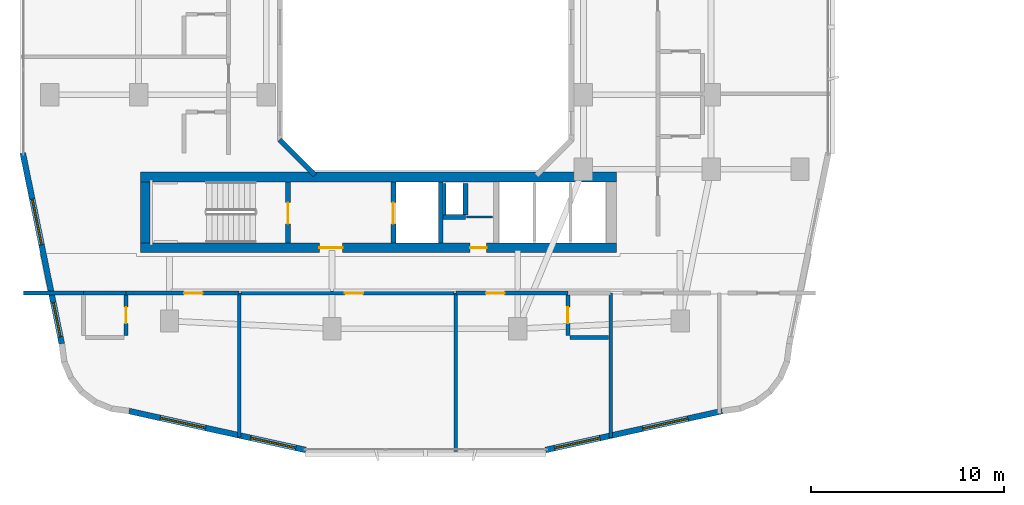
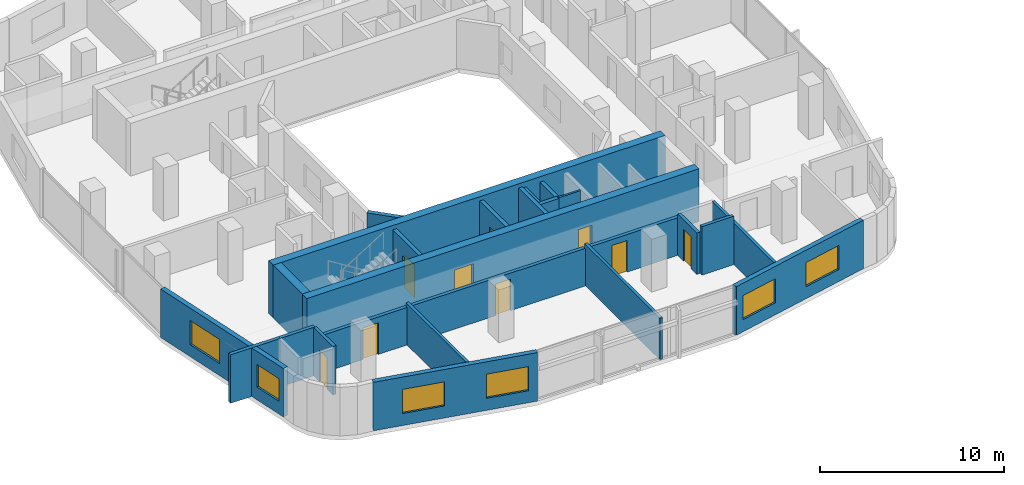
# One storey, part 13 of 27: 25 walls, 9 doors, 6 windows, 15 openings.
"""IFC4 building model written with IfcOpenShell, lengths in metres."""

from ifc_helpers import new_model, si_unit, derived_unit, direction, frame, frame_2d, origin, place, context, subcontext, project, spatial, rectangle, extrude, material, layer, layer_set, type_object, element, fill, save


model = new_model("IFC4")

# Units and contexts
model_context = context("Model", 3, precision=1e-05, world=origin(), true_north=direction((0.0, 1.0)))
body_context = subcontext(model_context, "Body", "Model", "MODEL_VIEW")
ifc_project = project(units=[si_unit("LENGTHUNIT", "METRE"), si_unit("AREAUNIT", "SQUARE_METRE"), si_unit("VOLUMEUNIT", "CUBIC_METRE"), si_unit("PLANEANGLEUNIT", "RADIAN"), si_unit("MASSUNIT", "GRAM", prefix="KILO"), derived_unit("THERMALTRANSMITTANCEUNIT", [(si_unit("POWERUNIT", "WATT"), 1), (si_unit("LENGTHUNIT", "METRE"), -2), (si_unit("THERMODYNAMICTEMPERATUREUNIT", "KELVIN"), -1)])], contexts=[model_context])

# Site, building, storey
site_placement = place(None, origin())
site = spatial("IfcSite", under=ifc_project, at=site_placement, CompositionType="ELEMENT")
building_placement = place(site_placement, origin())
building = spatial("IfcBuilding", under=site, at=building_placement, Name="Kivonza Crest Hotel", CompositionType="ELEMENT")
storey_placement = place(building_placement, frame((0.0, 0.0, 76.5)))
storey = spatial("IfcBuildingStorey", under=building, at=storey_placement, Name="L20", CompositionType="ELEMENT", Elevation=76.5)

# Walls
ifc_material_1 = material(Name="High-density acoustic masonry inter-tenancy wall", Category="masonry")
ifc_layer_1 = layer(ifc_material_1, 0.179931640625)
ifc_layer_set_1 = layer_set([ifc_layer_1], Name="High-density acoustic masonry inter-tenancy wall")
wall_type_1 = type_object("IfcWallType", Name="WL-ACOU-180", PredefinedType="SOLIDWALL", material=ifc_layer_set_1)
wall_1_placement = place(storey_placement, frame((11.39990234375, 3.800048828125, 0.0), z_axis=(0.0, 0.0, 1.0), x_axis=(0.0, 1.0, 0.0)))
element("IfcWall", 1, at=wall_1_placement, inside=storey, type_object=wall_type_1, Name="L20 interior partition WA-L20-T1S-DIV1", PredefinedType="SOLIDWALL", context=body_context, shape_type="SweptSolid", body=[
    extrude(rectangle(XDim=7.449951171875, YDim=0.179931640625, at=frame_2d((3.72509765625, 0.0))), origin(), (0.0, 0.0, 1.0), 2.7451171875),
])
wall_2_placement = place(storey_placement, frame((22.60009765625, 3.06005859375, 0.0), z_axis=(0.0, 0.0, 1.0), x_axis=(0.0, 1.0, 0.0)))
element("IfcWall", 2, at=wall_2_placement, inside=storey, type_object=wall_type_1, Name="L20 interior partition WA-L20-T1S-DIV2", PredefinedType="SOLIDWALL", context=body_context, shape_type="SweptSolid", body=[
    extrude(rectangle(XDim=8.18994140625, YDim=0.179931640625, at=frame_2d((4.094970703125, 0.0))), origin(), (0.0, 0.0, 1.0), 2.7451171875),
])
wall_3_placement = place(storey_placement, frame((30.60009765625, 3.782958984375, 0.0), z_axis=(0.0, 0.0, 1.0), x_axis=(0.0, 1.0, 0.0)))
element("IfcWall", 3, at=wall_3_placement, inside=storey, type_object=wall_type_1, Name="L20 interior partition WA-L20-T1S-DIV3", PredefinedType="SOLIDWALL", context=body_context, shape_type="SweptSolid", body=[
    extrude(rectangle(XDim=7.467041015625, YDim=0.179931640625, at=frame_2d((3.7333984375, 0.0))), origin(), (0.0, 0.0, 1.0), 2.7451171875),
])
ifc_material_2 = material(Name="Autoclaved aerated concrete blockwork", Category="masonry")
ifc_layer_2 = layer(ifc_material_2, 0.219970703125)
ifc_layer_set_2 = layer_set([ifc_layer_2], Name="Autoclaved aerated concrete blockwork")
wall_type_2 = type_object("IfcWallType", Name="WL-ACOU-220", PredefinedType="SOLIDWALL", material=ifc_layer_set_2)
wall_4_placement = place(storey_placement, frame((0.239990234375, 11.25, 0.0), z_axis=(0.0, 0.0, 1.0), x_axis=(1.0, 0.0, 0.0)))
element("IfcWall", 4, at=wall_4_placement, inside=storey, type_object=wall_type_2, Name="L20 interior partition WA-L20-S02-XCORR", PredefinedType="SOLIDWALL", context=body_context, shape_type="SweptSolid", body=[
    extrude(rectangle(XDim=3.110107421875, YDim=0.219970703125, at=frame_2d((1.55517578125, 0.0))), origin(), (0.0, 0.0, 1.0), 3.219970703125),
])
wall_5_placement = place(storey_placement, frame((3.35009765625, 11.25, 0.0), z_axis=(0.0, 0.0, 1.0), x_axis=(1.0, 0.0, 0.0)))
element("IfcWall", 5, at=wall_5_placement, inside=storey, type_object=wall_type_2, Name="L20 interior partition WA-L20-S02-BCORR", PredefinedType="SOLIDWALL", context=body_context, shape_type="SweptSolid", body=[
    extrude(rectangle(XDim=2.199951171875, YDim=0.219970703125, at=frame_2d((1.10009765625, 0.0))), origin(), (0.0, 0.0, 1.0), 3.219970703125),
])

# Wall, opening, door
wall_6_placement = place(storey_placement, frame((5.550048828125, 11.25, 0.0), z_axis=(0.0, 0.0, 1.0), x_axis=(1.0, 0.0, 0.0)))
wall_6 = element("IfcWall", 6, at=wall_6_placement, inside=storey, type_object=wall_type_2, Name="L20 interior partition WA-L20-S02-MCORR", PredefinedType="SOLIDWALL", context=body_context, shape_type="SweptSolid", body=[
    extrude(rectangle(XDim=5.849853515625, YDim=0.219970703125, at=frame_2d((2.9248046875, 0.0))), origin(), (0.0, 0.0, 1.0), 2.4951171875),
])
opening_1_placement = place(wall_6_placement, frame((3.010009765625, 0.0, 0.0)))
opening_1 = element("IfcOpeningElement", 7, at=opening_1_placement, cuts=wall_6, Name="Opening DU-60", PredefinedType="OPENING", context=body_context, shape_type="SweptSolid", body=[
    extrude(rectangle(XDim=0.949951171875, YDim=2.10009765625, at=frame_2d((0.47509765625, 1.050048828125))), frame((0.0, 0.1201171875, 0.0), z_axis=(0.0, -1.0, 0.0), x_axis=(1.0, 0.0, 0.0)), (0.0, 0.0, 1.0), 0.239990234375),
])
ifc_material_3 = material(Name="Hardwood timber oak", Category="wood")
door_type_1 = type_object("IfcDoorType", Name="DR-UNIT-950", OperationType="NOTDEFINED", PredefinedType="DOOR", material=ifc_material_3)
door_1_placement = place(opening_1_placement, frame((0.949951171875, 0.0, 0.0), z_axis=(0.0, 0.0, 1.0), x_axis=(-1.0, 0.0, 0.0)))
door_1 = element("IfcDoor", 8, at=door_1_placement, inside=storey, type_object=door_type_1, Name="L20 S02 guest unit entrance fire door", OperationType="SINGLE_SWING_RIGHT", OverallHeight=2.10009765625, OverallWidth=0.949951171875, PredefinedType="DOOR", context=body_context, shape_type="SweptSolid", body=[
    extrude(rectangle(XDim=0.949951171875, YDim=2.10009765625, at=frame_2d((0.47509765625, 1.050048828125))), frame((0.0, 0.02490234375, 0.0), z_axis=(0.0, -1.0, 0.0), x_axis=(1.0, 0.0, 0.0)), (0.0, 0.0, 1.0), 0.050048828125),
])
fill(opening_1, door_1)

wall_7_placement = place(storey_placement, frame((11.5, 11.25, 0.0), z_axis=(0.0, 0.0, 1.0), x_axis=(1.0, 0.0, 0.0)))
wall_7 = element("IfcWall", 9, at=wall_7_placement, inside=storey, type_object=wall_type_2, Name="L20 interior partition WA-L20-HK-S-N", PredefinedType="SOLIDWALL", context=body_context, shape_type="SweptSolid", body=[
    extrude(rectangle(XDim=11.0, YDim=0.219970703125, at=frame_2d((5.5, 0.0))), origin(), (0.0, 0.0, 1.0), 2.4951171875),
])
opening_2_placement = place(wall_7_placement, frame((5.363037109375, 0.0, 0.0)))
opening_2 = element("IfcOpeningElement", 10, at=opening_2_placement, cuts=wall_7, Name="Opening DF-60S", PredefinedType="OPENING", context=body_context, shape_type="SweptSolid", body=[
    extrude(rectangle(XDim=0.949951171875, YDim=2.10009765625, at=frame_2d((0.47509765625, 1.050048828125))), frame((0.0, 0.1201171875, 0.0), z_axis=(0.0, -1.0, 0.0), x_axis=(1.0, 0.0, 0.0)), (0.0, 0.0, 1.0), 0.239990234375),
])
door_type_2 = type_object("IfcDoorType", Name="DR-FD60-950", OperationType="NOTDEFINED", PredefinedType="DOOR", material=ifc_material_3)
door_2_placement = place(opening_2_placement, frame((0.949951171875, 0.0, 0.0), z_axis=(0.0, 0.0, 1.0), x_axis=(-1.0, 0.0, 0.0)))
door_2 = element("IfcDoor", 11, at=door_2_placement, inside=storey, type_object=door_type_2, Name="L20 Housekeeping and Linen Room door", OperationType="SINGLE_SWING_LEFT", OverallHeight=2.10009765625, OverallWidth=0.949951171875, PredefinedType="DOOR", context=body_context, shape_type="SweptSolid", body=[
    extrude(rectangle(XDim=0.949951171875, YDim=2.10009765625, at=frame_2d((0.47509765625, 1.050048828125))), frame((0.0, 0.02490234375, 0.0), z_axis=(0.0, -1.0, 0.0), x_axis=(1.0, 0.0, 0.0)), (0.0, 0.0, 1.0), 0.050048828125),
])
fill(opening_2, door_2)

wall_8_placement = place(storey_placement, frame((22.60009765625, 11.25, 0.0), z_axis=(0.0, 0.0, 1.0), x_axis=(1.0, 0.0, 0.0)))
wall_8 = element("IfcWall", 12, at=wall_8_placement, inside=storey, type_object=wall_type_2, Name="L20 interior partition WA-L20-S03-MCORR", PredefinedType="SOLIDWALL", context=body_context, shape_type="SweptSolid", body=[
    extrude(rectangle(XDim=5.7998046875, YDim=0.219970703125, at=frame_2d((2.89990234375, 0.0))), origin(), (0.0, 0.0, 1.0), 2.4951171875),
])
opening_3_placement = place(wall_8_placement, frame((1.574951171875, 0.0, 0.0)))
opening_3 = element("IfcOpeningElement", 13, at=opening_3_placement, cuts=wall_8, Name="Opening DU-60", PredefinedType="OPENING", context=body_context, shape_type="SweptSolid", body=[
    extrude(rectangle(XDim=0.949951171875, YDim=2.10009765625, at=frame_2d((0.47509765625, 1.050048828125))), frame((0.0, 0.1201171875, 0.0), z_axis=(0.0, -1.0, 0.0), x_axis=(1.0, 0.0, 0.0)), (0.0, 0.0, 1.0), 0.239990234375),
])
door_3_placement = place(opening_3_placement, frame((0.949951171875, 0.0, 0.0), z_axis=(0.0, 0.0, 1.0), x_axis=(-1.0, 0.0, 0.0)))
door_3 = element("IfcDoor", 14, at=door_3_placement, inside=storey, type_object=door_type_1, Name="L20 S03 guest unit entrance fire door", OperationType="SINGLE_SWING_LEFT", OverallHeight=2.10009765625, OverallWidth=0.949951171875, PredefinedType="DOOR", context=body_context, shape_type="SweptSolid", body=[
    extrude(rectangle(XDim=0.949951171875, YDim=2.10009765625, at=frame_2d((0.47509765625, 1.050048828125))), frame((0.0, 0.02490234375, 0.0), z_axis=(0.0, -1.0, 0.0), x_axis=(1.0, 0.0, 0.0)), (0.0, 0.0, 1.0), 0.050048828125),
])
fill(opening_3, door_3)

# Wall, openings, doors
ifc_material_4 = material(Name="Concrete C60/75", Category="concrete")
ifc_layer_3 = layer(ifc_material_4, 0.5)
ifc_layer_set_3 = layer_set([ifc_layer_3], Name="Concrete C60/75")
wall_type_3 = type_object("IfcWallType", Name="WL-CORE-500", PredefinedType="SHEAR", material=ifc_layer_set_3)
wall_9_placement = place(storey_placement, frame((6.300048828125, 13.590087890625, 0.0), z_axis=(0.0, 0.0, 1.0), x_axis=(1.0, 0.0, 0.0)))
wall_9 = element("IfcWall", 15, at=wall_9_placement, inside=storey, type_object=wall_type_3, Name="Core wall T1-S South L20", PredefinedType="SHEAR", context=body_context, shape_type="SweptSolid", body=[
    extrude(rectangle(XDim=24.599853515625, YDim=0.5, at=frame_2d((12.2998046875, 0.0))), origin(), (0.0, 0.0, 1.0), 3.5),
])
opening_4_placement = place(wall_9_placement, frame((9.25, 0.0, 0.0)))
opening_4 = element("IfcOpeningElement", 16, at=opening_4_placement, cuts=wall_9, Name="Opening DF-60", PredefinedType="OPENING", context=body_context, shape_type="SweptSolid", body=[
    extrude(rectangle(XDim=1.199951171875, YDim=2.14990234375, at=frame_2d((0.60009765625, 1.074951171875))), frame((0.0, 0.260009765625, 0.0), z_axis=(0.0, -1.0, 0.0), x_axis=(1.0, 0.0, 0.0)), (0.0, 0.0, 1.0), 0.52001953125),
])
opening_5_placement = place(wall_9_placement, frame((17.0400390625, 0.0, 0.0)))
opening_5 = element("IfcOpeningElement", 17, at=opening_5_placement, cuts=wall_9, Name="Opening DF-60R", PredefinedType="OPENING", context=body_context, shape_type="SweptSolid", body=[
    extrude(rectangle(XDim=0.85009765625, YDim=2.10009765625, at=frame_2d((0.425048828125, 1.050048828125))), frame((0.0, 0.260009765625, 0.0), z_axis=(0.0, -1.0, 0.0), x_axis=(1.0, 0.0, 0.0)), (0.0, 0.0, 1.0), 0.52001953125),
])
door_type_3 = type_object("IfcDoorType", Name="DR-FD60-1200", OperationType="NOTDEFINED", PredefinedType="DOOR", material=ifc_material_3)
door_4_placement = place(opening_4_placement, frame((1.199951171875, 0.0, 0.0), z_axis=(0.0, 0.0, 1.0), x_axis=(-1.0, 0.0, 0.0)))
door_4 = element("IfcDoor", 18, at=door_4_placement, inside=storey, type_object=door_type_3, Name="L20 T1-S firefighting lobby fire door", OperationType="SINGLE_SWING_LEFT", OverallHeight=2.14990234375, OverallWidth=1.199951171875, PredefinedType="DOOR", context=body_context, shape_type="SweptSolid", body=[
    extrude(rectangle(XDim=1.199951171875, YDim=2.14990234375, at=frame_2d((0.60009765625, 1.074951171875))), frame((0.0, 0.02490234375, 0.0), z_axis=(0.0, -1.0, 0.0), x_axis=(1.0, 0.0, 0.0)), (0.0, 0.0, 1.0), 0.050048828125),
])
fill(opening_4, door_4)
door_type_4 = type_object("IfcDoorType", Name="DR-FD60-850", OperationType="NOTDEFINED", PredefinedType="DOOR", material=ifc_material_3)
door_5_placement = place(opening_5_placement, frame((0.85009765625, 0.0, 0.0), z_axis=(0.0, 0.0, 1.0), x_axis=(-1.0, 0.0, 0.0)))
door_5 = element("IfcDoor", 19, at=door_5_placement, inside=storey, type_object=door_type_4, Name="L20 T1-S core room door", OperationType="SINGLE_SWING_RIGHT", OverallHeight=2.10009765625, OverallWidth=0.85009765625, PredefinedType="DOOR", context=body_context, shape_type="SweptSolid", body=[
    extrude(rectangle(XDim=0.85009765625, YDim=2.10009765625, at=frame_2d((0.425048828125, 1.050048828125))), frame((0.0, 0.02490234375, 0.0), z_axis=(0.0, -1.0, 0.0), x_axis=(1.0, 0.0, 0.0)), (0.0, 0.0, 1.0), 0.050048828125),
])
fill(opening_5, door_5)

# Walls
wall_10_placement = place(storey_placement, frame((6.300048828125, 17.25, 0.0), z_axis=(0.0, 0.0, 1.0), x_axis=(1.0, 0.0, 0.0)))
element("IfcWall", 20, at=wall_10_placement, inside=storey, type_object=wall_type_3, Name="Core wall T1-S North L20", PredefinedType="SHEAR", context=body_context, shape_type="SweptSolid", body=[
    extrude(rectangle(XDim=24.599853515625, YDim=0.5, at=frame_2d((12.2998046875, 0.0))), origin(), (0.0, 0.0, 1.0), 3.5),
])
wall_11_placement = place(storey_placement, frame((6.550048828125, 13.840087890625, 0.0), z_axis=(0.0, 0.0, 1.0), x_axis=(0.0, 1.0, 0.0)))
element("IfcWall", 21, at=wall_11_placement, inside=storey, type_object=wall_type_3, Name="Core wall T1-S West L20", PredefinedType="SHEAR", context=body_context, shape_type="SweptSolid", body=[
    extrude(rectangle(XDim=3.159912109375, YDim=0.5, at=frame_2d((1.580078125, 0.0))), origin(), (0.0, 0.0, 1.0), 3.5),
])
ifc_material_5 = material(Name="Precast concrete C40/50", Category="concrete")
ifc_layer_4 = layer(ifc_material_5, 0.260009765625)
ifc_layer_set_4 = layer_set([ifc_layer_4], Name="Precast concrete C40/50")
wall_type_4 = type_object("IfcWallType", Name="WL-EXT-260", PredefinedType="STANDARD", material=ifc_layer_set_4)
wall_12_placement = place(storey_placement, frame((13.48388671875, 19.172119140625, 0.0), z_axis=(0.0, 0.0, 1.0), x_axis=(0.707106781187, -0.707106781187, 0.0)))
element("IfcWall", 22, at=wall_12_placement, inside=storey, type_object=wall_type_4, Name="L20 T1 light-well exterior wall 8", PredefinedType="STANDARD", context=body_context, shape_type="SweptSolid", body=[
    extrude(rectangle(XDim=2.593994140625, YDim=0.260009765625, at=frame_2d((1.296875, 0.0))), origin(), (0.0, 0.0, 1.0), 3.219970703125),
])

# Wall, openings, windows
ifc_layer_5 = layer(ifc_material_5, 0.300048828125)
ifc_layer_set_5 = layer_set([ifc_layer_5], Name="Precast concrete C40/50")
wall_type_5 = type_object("IfcWallType", Name="WL-EXT-300", PredefinedType="STANDARD", material=ifc_layer_set_5)
wall_13_placement = place(storey_placement, frame((5.7041015625, 5.14794921875, 0.0), z_axis=(0.0, 0.0, 1.0), x_axis=(0.9765437942, -0.215318875183, 0.0)))
wall_13 = element("IfcWall", 23, at=wall_13_placement, inside=storey, type_object=wall_type_5, Name="L20 T1 exterior insulated wall 7", PredefinedType="STANDARD", context=body_context, shape_type="SweptSolid", body=[
    extrude(rectangle(XDim=9.353271484375, YDim=0.300048828125, at=frame_2d((4.6767578125, 0.0))), origin(), (0.0, 0.0, 1.0), 3.219970703125),
])
opening_6_placement = place(wall_13_placement, frame((1.65087890625, 0.0, 0.800048828125)))
opening_6 = element("IfcOpeningElement", 24, at=opening_6_placement, cuts=wall_13, Name="Opening WN-05", PredefinedType="OPENING", context=body_context, shape_type="SweptSolid", body=[
    extrude(rectangle(XDim=2.39990234375, YDim=1.60009765625, at=frame_2d((1.199951171875, 0.800048828125))), frame((0.0, 0.16015625, 0.0), z_axis=(0.0, -1.0, 0.0), x_axis=(1.0, 0.0, 0.0)), (0.0, 0.0, 1.0), 0.320068359375),
])
opening_7_placement = place(wall_13_placement, frame((6.43310546875, 0.0, 0.800048828125)))
opening_7 = element("IfcOpeningElement", 25, at=opening_7_placement, cuts=wall_13, Name="Opening WN-05", PredefinedType="OPENING", context=body_context, shape_type="SweptSolid", body=[
    extrude(rectangle(XDim=2.39990234375, YDim=1.60009765625, at=frame_2d((1.199951171875, 0.800048828125))), frame((0.0, 0.16015625, 0.0), z_axis=(0.0, -1.0, 0.0), x_axis=(1.0, 0.0, 0.0)), (0.0, 0.0, 1.0), 0.320068359375),
])
ifc_material_6 = material(Name="Thermally broken bronze aluminium and low-E double glazing", Category="aluminium")
window_type_1 = type_object("IfcWindowType", Name="WN-240x160", PartitioningType="TRIPLE_PANEL_VERTICAL", PredefinedType="WINDOW", material=ifc_material_6)
window_1_placement = place(opening_6_placement, origin())
window_1 = element("IfcWindow", 26, at=window_1_placement, inside=storey, type_object=window_type_1, Name="L20 T1 facade window 7 bay 1", OverallHeight=1.60009765625, OverallWidth=2.39990234375, PartitioningType="SINGLE_PANEL", PredefinedType="WINDOW", context=body_context, shape_type="SweptSolid", body=[
    extrude(rectangle(XDim=2.39990234375, YDim=1.60009765625, at=frame_2d((1.199951171875, 0.800048828125))), frame((0.0, 0.030029296875, 0.0), z_axis=(0.0, -1.0, 0.0), x_axis=(1.0, 0.0, 0.0)), (0.0, 0.0, 1.0), 0.06005859375),
])
fill(opening_6, window_1)
window_2_placement = place(opening_7_placement, origin())
window_2 = element("IfcWindow", 27, at=window_2_placement, inside=storey, type_object=window_type_1, Name="L20 T1 facade window 7 bay 2", OverallHeight=1.60009765625, OverallWidth=2.39990234375, PartitioningType="SINGLE_PANEL", PredefinedType="WINDOW", context=body_context, shape_type="SweptSolid", body=[
    extrude(rectangle(XDim=2.39990234375, YDim=1.60009765625, at=frame_2d((1.199951171875, 0.800048828125))), frame((0.0, 0.030029296875, 0.0), z_axis=(0.0, -1.0, 0.0), x_axis=(1.0, 0.0, 0.0)), (0.0, 0.0, 1.0), 0.06005859375),
])
fill(opening_7, window_2)

wall_14_placement = place(storey_placement, frame((27.241943359375, 3.134033203125, 0.0), z_axis=(0.0, 0.0, 1.0), x_axis=(0.97654500432, 0.215313386808, 0.0)))
wall_14 = element("IfcWall", 28, at=wall_14_placement, inside=storey, type_object=wall_type_5, Name="L20 T1 exterior insulated wall 9", PredefinedType="STANDARD", context=body_context, shape_type="SweptSolid", body=[
    extrude(rectangle(XDim=9.353515625, YDim=0.300048828125, at=frame_2d((4.6767578125, 0.0))), origin(), (0.0, 0.0, 1.0), 3.219970703125),
])
opening_8_placement = place(wall_14_placement, frame((0.47900390625, 0.0, 0.800048828125)))
opening_8 = element("IfcOpeningElement", 29, at=opening_8_placement, cuts=wall_14, Name="Opening WN-05", PredefinedType="OPENING", context=body_context, shape_type="SweptSolid", body=[
    extrude(rectangle(XDim=2.39990234375, YDim=1.60009765625, at=frame_2d((1.199951171875, 0.800048828125))), frame((0.0, 0.16015625, 0.0), z_axis=(0.0, -1.0, 0.0), x_axis=(1.0, 0.0, 0.0)), (0.0, 0.0, 1.0), 0.320068359375),
])
opening_9_placement = place(wall_14_placement, frame((5.14208984375, 0.0, 0.800048828125)))
opening_9 = element("IfcOpeningElement", 30, at=opening_9_placement, cuts=wall_14, Name="Opening WN-05", PredefinedType="OPENING", context=body_context, shape_type="SweptSolid", body=[
    extrude(rectangle(XDim=2.39990234375, YDim=1.60009765625, at=frame_2d((1.199951171875, 0.800048828125))), frame((0.0, 0.16015625, 0.0), z_axis=(0.0, -1.0, 0.0), x_axis=(1.0, 0.0, 0.0)), (0.0, 0.0, 1.0), 0.320068359375),
])
window_3_placement = place(opening_8_placement, origin())
window_3 = element("IfcWindow", 31, at=window_3_placement, inside=storey, type_object=window_type_1, Name="L20 T1 facade window 9 bay 1", OverallHeight=1.60009765625, OverallWidth=2.39990234375, PartitioningType="SINGLE_PANEL", PredefinedType="WINDOW", context=body_context, shape_type="SweptSolid", body=[
    extrude(rectangle(XDim=2.39990234375, YDim=1.60009765625, at=frame_2d((1.199951171875, 0.800048828125))), frame((0.0, 0.030029296875, 0.0), z_axis=(0.0, -1.0, 0.0), x_axis=(1.0, 0.0, 0.0)), (0.0, 0.0, 1.0), 0.06005859375),
])
fill(opening_8, window_3)
window_4_placement = place(opening_9_placement, origin())
window_4 = element("IfcWindow", 32, at=window_4_placement, inside=storey, type_object=window_type_1, Name="L20 T1 facade window 9 bay 2", OverallHeight=1.60009765625, OverallWidth=2.39990234375, PartitioningType="SINGLE_PANEL", PredefinedType="WINDOW", context=body_context, shape_type="SweptSolid", body=[
    extrude(rectangle(XDim=2.39990234375, YDim=1.60009765625, at=frame_2d((1.199951171875, 0.800048828125))), frame((0.0, 0.030029296875, 0.0), z_axis=(0.0, -1.0, 0.0), x_axis=(1.0, 0.0, 0.0)), (0.0, 0.0, 1.0), 0.06005859375),
])
fill(opening_9, window_4)

wall_15_placement = place(storey_placement, frame((0.216064453125, 18.48388671875, 0.0), z_axis=(0.0, 0.0, 1.0), x_axis=(0.199990901713, -0.979797754249, 0.0)))
wall_15 = element("IfcWall", 33, at=wall_15_placement, inside=storey, type_object=wall_type_5, Name="L20 T1 exterior insulated wall 36", PredefinedType="STANDARD", context=body_context, shape_type="SweptSolid", body=[
    extrude(rectangle(XDim=10.065185546875, YDim=0.300048828125, at=frame_2d((5.03271484375, 0.0))), origin(), (0.0, 0.0, 1.0), 3.219970703125),
])
opening_10_placement = place(wall_15_placement, frame((2.428955078125, 0.0, 0.800048828125)))
opening_10 = element("IfcOpeningElement", 34, at=opening_10_placement, cuts=wall_15, Name="Opening WN-05", PredefinedType="OPENING", context=body_context, shape_type="SweptSolid", body=[
    extrude(rectangle(XDim=2.39990234375, YDim=1.60009765625, at=frame_2d((1.199951171875, 0.800048828125))), frame((0.0, 0.16015625, 0.0), z_axis=(0.0, -1.0, 0.0), x_axis=(1.0, 0.0, 0.0)), (0.0, 0.0, 1.0), 0.320068359375),
])
opening_11_placement = place(wall_15_placement, frame((7.886962890625, 0.0, 0.85009765625)))
opening_11 = element("IfcOpeningElement", 35, at=opening_11_placement, cuts=wall_15, Name="Opening WN-03", PredefinedType="OPENING", context=body_context, shape_type="SweptSolid", body=[
    extrude(rectangle(XDim=1.800048828125, YDim=1.5, at=frame_2d((0.89990234375, 0.75))), frame((0.0, 0.16015625, 0.0), z_axis=(0.0, -1.0, 0.0), x_axis=(1.0, 0.0, 0.0)), (0.0, 0.0, 1.0), 0.320068359375),
])
window_type_2 = type_object("IfcWindowType", Name="WN-180x150", PartitioningType="DOUBLE_PANEL_VERTICAL", PredefinedType="WINDOW", material=ifc_material_6)
window_5_placement = place(opening_11_placement, origin())
window_5 = element("IfcWindow", 36, at=window_5_placement, inside=storey, type_object=window_type_2, Name="L20 T1 facade window 36 bay 2", OverallHeight=1.5, OverallWidth=1.800048828125, PartitioningType="SINGLE_PANEL", PredefinedType="WINDOW", context=body_context, shape_type="SweptSolid", body=[
    extrude(rectangle(XDim=1.800048828125, YDim=1.5, at=frame_2d((0.89990234375, 0.75))), frame((0.0, 0.030029296875, 0.0), z_axis=(0.0, -1.0, 0.0), x_axis=(1.0, 0.0, 0.0)), (0.0, 0.0, 1.0), 0.06005859375),
])
fill(opening_11, window_5)
window_6_placement = place(opening_10_placement, origin())
window_6 = element("IfcWindow", 37, at=window_6_placement, inside=storey, type_object=window_type_1, Name="L20 T1 facade window 36 bay 1", OverallHeight=1.60009765625, OverallWidth=2.39990234375, PartitioningType="SINGLE_PANEL", PredefinedType="WINDOW", context=body_context, shape_type="SweptSolid", body=[
    extrude(rectangle(XDim=2.39990234375, YDim=1.60009765625, at=frame_2d((1.199951171875, 0.800048828125))), frame((0.0, 0.030029296875, 0.0), z_axis=(0.0, -1.0, 0.0), x_axis=(1.0, 0.0, 0.0)), (0.0, 0.0, 1.0), 0.06005859375),
])
fill(opening_10, window_6)

# Walls
ifc_material_7 = material(Name="Concrete blockwork fire-compartment wall", Category="masonry")
ifc_layer_6 = layer(ifc_material_7, 0.25)
ifc_layer_set_6 = layer_set([ifc_layer_6], Name="Concrete blockwork fire-compartment wall")
wall_type_6 = type_object("IfcWallType", Name="WL-FIRE-250", PredefinedType="SOLIDWALL", material=ifc_layer_set_6)
wall_16_placement = place(storey_placement, frame((23.10009765625, 15.280029296875, 0.0), z_axis=(0.0, 0.0, 1.0), x_axis=(0.0, 1.0, 0.0)))
element("IfcWall", 38, at=wall_16_placement, inside=storey, type_object=wall_type_6, Name="L20 interior partition WA-L20-T1-S-MEPR-E", PredefinedType="SOLIDWALL", context=body_context, shape_type="SweptSolid", body=[
    extrude(rectangle(XDim=1.619873046875, YDim=0.25, at=frame_2d((0.81005859375, 0.0))), origin(), (0.0, 0.0, 1.0), 3.219970703125),
])
wall_17_placement = place(storey_placement, frame((21.949951171875, 15.179931640625, 0.0), z_axis=(0.0, 0.0, 1.0), x_axis=(1.0, 0.0, 0.0)))
element("IfcWall", 39, at=wall_17_placement, inside=storey, type_object=wall_type_6, Name="L20 interior partition WA-L20-T1-S-MEPR-H", PredefinedType="SOLIDWALL", context=body_context, shape_type="SweptSolid", body=[
    extrude(rectangle(XDim=1.150146484375, YDim=0.25, at=frame_2d((0.5751953125, 0.0))), origin(), (0.0, 0.0, 1.0), 3.219970703125),
])
ifc_material_8 = material(Name="Metal-stud gypsum board partition", Category="gypsum")
ifc_layer_7 = layer(ifc_material_8, 0.125)
ifc_layer_set_7 = layer_set([ifc_layer_7], Name="Metal-stud gypsum board partition")
wall_type_7 = type_object("IfcWallType", Name="WL-PART-125", PredefinedType="PARTITIONING", material=ifc_layer_set_7)
wall_18_placement = place(storey_placement, frame((23.14990234375, 15.179931640625, 0.0), z_axis=(0.0, 0.0, 1.0), x_axis=(1.0, 0.0, 0.0)))
element("IfcWall", 40, at=wall_18_placement, inside=storey, type_object=wall_type_7, Name="L20 interior partition WP-L20-T1-S-SV2H", PredefinedType="PARTITIONING", context=body_context, shape_type="SweptSolid", body=[
    extrude(rectangle(XDim=1.35009765625, YDim=0.125, at=frame_2d((0.675048828125, 0.0))), origin(), (0.0, 0.0, 1.0), 3.219970703125),
])
ifc_material_9 = material(Name="Twin-stud acoustic gypsum board partition", Category="gypsum")
ifc_layer_8 = layer(ifc_material_9, 0.14990234375)
ifc_layer_set_8 = layer_set([ifc_layer_8], Name="Twin-stud acoustic gypsum board partition")
wall_type_8 = type_object("IfcWallType", Name="WL-PART-150", PredefinedType="PARTITIONING", material=ifc_layer_set_8)
wall_19_placement = place(storey_placement, frame((22.030029296875, 15.280029296875, 0.0), z_axis=(0.0, 0.0, 1.0), x_axis=(0.0, 1.0, 0.0)))
element("IfcWall", 41, at=wall_19_placement, inside=storey, type_object=wall_type_8, Name="L20 interior partition WA-L20-T1-S-MEPR-W", PredefinedType="PARTITIONING", context=body_context, shape_type="SweptSolid", body=[
    extrude(rectangle(XDim=1.619873046875, YDim=0.14990234375, at=frame_2d((0.81005859375, 0.0))), origin(), (0.0, 0.0, 1.0), 3.219970703125),
])

# Wall, opening, door
ifc_material_10 = material(Name="Moisture-resistant plumbing chase partition wall", Category="gypsum")
ifc_layer_9 = layer(ifc_material_10, 0.199951171875)
ifc_layer_set_9 = layer_set([ifc_layer_9], Name="Moisture-resistant plumbing chase partition wall")
wall_type_9 = type_object("IfcWallType", Name="WL-PLUMB-200", PredefinedType="PLUMBINGWALL", material=ifc_layer_set_9)
wall_20_placement = place(storey_placement, frame((5.550048828125, 9.050048828125, 0.0), z_axis=(0.0, 0.0, 1.0), x_axis=(0.0, 1.0, 0.0)))
wall_20 = element("IfcWall", 42, at=wall_20_placement, inside=storey, type_object=wall_type_9, Name="L20 interior partition WW-L20-S02-BV", PredefinedType="PLUMBINGWALL", context=body_context, shape_type="SweptSolid", body=[
    extrude(rectangle(XDim=2.099853515625, YDim=0.199951171875, at=frame_2d((1.0498046875, 0.0))), origin(), (0.0, 0.0, 1.0), 3.219970703125),
])
opening_12_placement = place(wall_20_placement, frame((0.625, 0.0, 0.0)))
opening_12 = element("IfcOpeningElement", 43, at=opening_12_placement, cuts=wall_20, Name="Opening DI-85", PredefinedType="OPENING", context=body_context, shape_type="SweptSolid", body=[
    extrude(rectangle(XDim=0.85009765625, YDim=2.10009765625, at=frame_2d((0.425048828125, 1.050048828125))), frame((0.0, 0.10986328125, 0.0), z_axis=(0.0, -1.0, 0.0), x_axis=(1.0, 0.0, 0.0)), (0.0, 0.0, 1.0), 0.219970703125),
])
door_type_5 = type_object("IfcDoorType", Name="DR-INT-850", OperationType="NOTDEFINED", PredefinedType="DOOR", material=ifc_material_3)
door_6_placement = place(opening_12_placement, frame((0.85009765625, 0.0, 0.0), z_axis=(0.0, 0.0, 1.0), x_axis=(-1.0, 0.0, 0.0)))
door_6 = element("IfcDoor", 44, at=door_6_placement, inside=storey, type_object=door_type_5, Name="L20 S02 en-suite bathroom door", OperationType="SINGLE_SWING_LEFT", OverallHeight=2.10009765625, OverallWidth=0.85009765625, PredefinedType="DOOR", context=body_context, shape_type="SweptSolid", body=[
    extrude(rectangle(XDim=0.85009765625, YDim=2.10009765625, at=frame_2d((0.425048828125, 1.050048828125))), frame((0.0, 0.02490234375, 0.0), z_axis=(0.0, -1.0, 0.0), x_axis=(1.0, 0.0, 0.0)), (0.0, 0.0, 1.0), 0.050048828125),
])
fill(opening_12, door_6)

wall_21_placement = place(storey_placement, frame((28.39990234375, 9.050048828125, 0.0), z_axis=(0.0, 0.0, 1.0), x_axis=(0.0, 1.0, 0.0)))
wall_21 = element("IfcWall", 45, at=wall_21_placement, inside=storey, type_object=wall_type_9, Name="L20 interior partition WW-L20-S03-BV", PredefinedType="PLUMBINGWALL", context=body_context, shape_type="SweptSolid", body=[
    extrude(rectangle(XDim=2.099853515625, YDim=0.199951171875, at=frame_2d((1.0498046875, 0.0))), origin(), (0.0, 0.0, 1.0), 2.7451171875),
])
opening_13_placement = place(wall_21_placement, frame((0.625, 0.0, 0.0)))
opening_13 = element("IfcOpeningElement", 46, at=opening_13_placement, cuts=wall_21, Name="Opening DI-85", PredefinedType="OPENING", context=body_context, shape_type="SweptSolid", body=[
    extrude(rectangle(XDim=0.85009765625, YDim=2.10009765625, at=frame_2d((0.425048828125, 1.050048828125))), frame((0.0, 0.10986328125, 0.0), z_axis=(0.0, -1.0, 0.0), x_axis=(1.0, 0.0, 0.0)), (0.0, 0.0, 1.0), 0.219970703125),
])
door_7_placement = place(opening_13_placement, origin())
door_7 = element("IfcDoor", 47, at=door_7_placement, inside=storey, type_object=door_type_5, Name="L20 S03 en-suite bathroom door", OperationType="SINGLE_SWING_RIGHT", OverallHeight=2.10009765625, OverallWidth=0.85009765625, PredefinedType="DOOR", context=body_context, shape_type="SweptSolid", body=[
    extrude(rectangle(XDim=0.85009765625, YDim=2.10009765625, at=frame_2d((0.425048828125, 1.050048828125))), frame((0.0, 0.02490234375, 0.0), z_axis=(0.0, -1.0, 0.0), x_axis=(1.0, 0.0, 0.0)), (0.0, 0.0, 1.0), 0.050048828125),
])
fill(opening_13, door_7)

# Wall
wall_22_placement = place(storey_placement, frame((28.5, 8.949951171875, 0.0), z_axis=(0.0, 0.0, 1.0), x_axis=(1.0, 0.0, 0.0)))
element("IfcWall", 48, at=wall_22_placement, inside=storey, type_object=wall_type_9, Name="L20 interior partition WW-L20-S03-BH", PredefinedType="PLUMBINGWALL", context=body_context, shape_type="SweptSolid", body=[
    extrude(rectangle(XDim=2.0, YDim=0.199951171875, at=frame_2d((1.0, 0.0))), origin(), (0.0, 0.0, 1.0), 3.219970703125),
])

# Wall, opening, door
ifc_material_11 = material(Name="Concrete C50/60", Category="concrete")
ifc_layer_10 = layer(ifc_material_11, 0.25)
ifc_layer_set_10 = layer_set([ifc_layer_10], Name="Concrete C50/60")
wall_type_10 = type_object("IfcWallType", Name="WL-SHAFT-250", PredefinedType="STANDARD", material=ifc_layer_set_10)
wall_23_placement = place(storey_placement, frame((13.925048828125, 13.840087890625, 0.0), z_axis=(0.0, 0.0, 1.0), x_axis=(0.0, 1.0, 0.0)))
wall_23 = element("IfcWall", 49, at=wall_23_placement, inside=storey, type_object=wall_type_10, Name="Core shaft wall T1-S STAIR L20", PredefinedType="STANDARD", context=body_context, shape_type="SweptSolid", body=[
    extrude(rectangle(XDim=3.159912109375, YDim=0.25, at=frame_2d((1.580078125, 0.0))), origin(), (0.0, 0.0, 1.0), 3.219970703125),
])
opening_14_placement = place(wall_23_placement, frame((0.97998046875, 0.0, 0.0)))
opening_14 = element("IfcOpeningElement", 50, at=opening_14_placement, cuts=wall_23, Name="Opening DF-120", PredefinedType="OPENING", context=body_context, shape_type="SweptSolid", body=[
    extrude(rectangle(XDim=1.10009765625, YDim=2.14990234375, at=frame_2d((0.550048828125, 1.074951171875))), frame((0.0, 0.135009765625, 0.0), z_axis=(0.0, -1.0, 0.0), x_axis=(1.0, 0.0, 0.0)), (0.0, 0.0, 1.0), 0.27001953125),
])
ifc_material_12 = material(Name="Galvanised steel", Category="steel")
door_type_6 = type_object("IfcDoorType", Name="DR-FD120-1100", OperationType="NOTDEFINED", PredefinedType="DOOR", material=ifc_material_12)
door_8_placement = place(opening_14_placement, frame((1.10009765625, 0.0, 0.0), z_axis=(0.0, 0.0, 1.0), x_axis=(-1.0, 0.0, 0.0)))
door_8 = element("IfcDoor", 51, at=door_8_placement, inside=storey, type_object=door_type_6, Name="L20 T1-S stair fire door", OperationType="SINGLE_SWING_RIGHT", OverallHeight=2.14990234375, OverallWidth=1.10009765625, PredefinedType="DOOR", context=body_context, shape_type="SweptSolid", body=[
    extrude(rectangle(XDim=1.10009765625, YDim=2.14990234375, at=frame_2d((0.550048828125, 1.074951171875))), frame((0.0, 0.02490234375, 0.0), z_axis=(0.0, -1.0, 0.0), x_axis=(1.0, 0.0, 0.0)), (0.0, 0.0, 1.0), 0.050048828125),
])
fill(opening_14, door_8)

wall_24_placement = place(storey_placement, frame((19.375, 13.840087890625, 0.0), z_axis=(0.0, 0.0, 1.0), x_axis=(0.0, 1.0, 0.0)))
wall_24 = element("IfcWall", 52, at=wall_24_placement, inside=storey, type_object=wall_type_10, Name="Core shaft wall T1-S FFL-W L20", PredefinedType="STANDARD", context=body_context, shape_type="SweptSolid", body=[
    extrude(rectangle(XDim=3.159912109375, YDim=0.25, at=frame_2d((1.580078125, 0.0))), origin(), (0.0, 0.0, 1.0), 3.219970703125),
])
opening_15_placement = place(wall_24_placement, frame((0.97998046875, 0.0, 0.0)))
opening_15 = element("IfcOpeningElement", 53, at=opening_15_placement, cuts=wall_24, Name="Opening LD-120", PredefinedType="OPENING", context=body_context, shape_type="SweptSolid", body=[
    extrude(rectangle(XDim=1.10009765625, YDim=2.14990234375, at=frame_2d((0.550048828125, 1.074951171875))), frame((0.0, 0.135009765625, 0.0), z_axis=(0.0, -1.0, 0.0), x_axis=(1.0, 0.0, 0.0)), (0.0, 0.0, 1.0), 0.27001953125),
])
ifc_material_13 = material(Name="Stainless steel", Category="steel")
door_type_7 = type_object("IfcDoorType", Name="DR-LD120-1100", OperationType="NOTDEFINED", PredefinedType="DOOR", material=ifc_material_13)
door_9_placement = place(opening_15_placement, origin())
door_9 = element("IfcDoor", 54, at=door_9_placement, inside=storey, type_object=door_type_7, Name="L20 FFL-T1-S firefighting lift sliding landing door", OperationType="DOUBLE_DOOR_SLIDING", OverallHeight=2.14990234375, OverallWidth=1.10009765625, PredefinedType="DOOR", context=body_context, shape_type="SweptSolid", body=[
    extrude(rectangle(XDim=1.10009765625, YDim=2.14990234375, at=frame_2d((0.550048828125, 1.074951171875))), frame((0.0, 0.02490234375, 0.0), z_axis=(0.0, -1.0, 0.0), x_axis=(1.0, 0.0, 0.0)), (0.0, 0.0, 1.0), 0.050048828125),
])
fill(opening_15, door_9)

# Wall
wall_25_placement = place(storey_placement, frame((21.824951171875, 13.840087890625, 0.0), z_axis=(0.0, 0.0, 1.0), x_axis=(0.0, 1.0, 0.0)))
element("IfcWall", 55, at=wall_25_placement, inside=storey, type_object=wall_type_10, Name="Core shaft wall T1-S FFL-E L20", PredefinedType="STANDARD", context=body_context, shape_type="SweptSolid", body=[
    extrude(rectangle(XDim=3.159912109375, YDim=0.25, at=frame_2d((1.580078125, 0.0))), origin(), (0.0, 0.0, 1.0), 3.219970703125),
])

save(model, "model.ifc")
